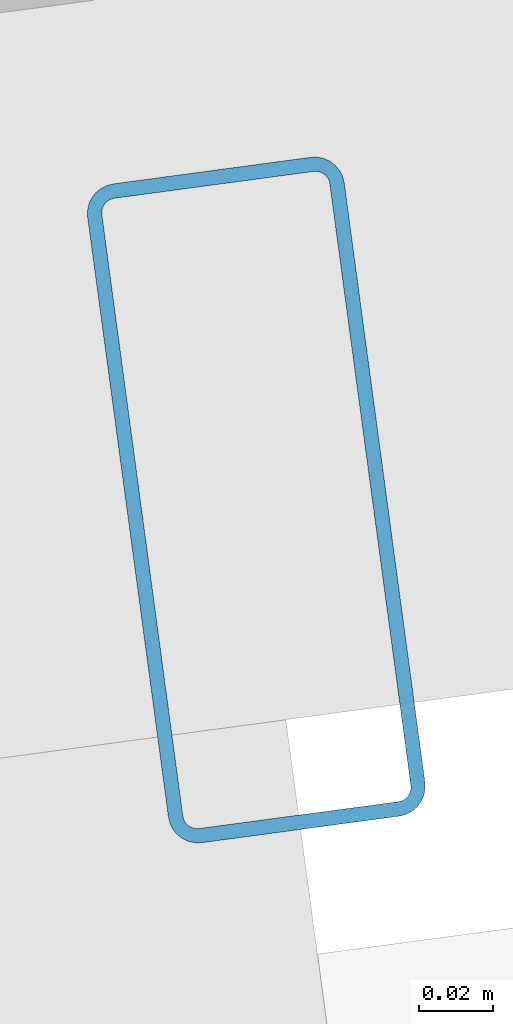
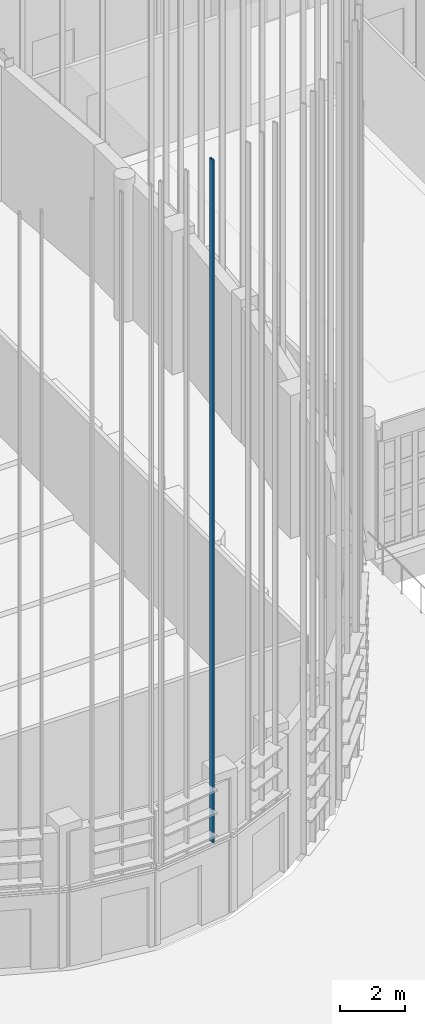
# One storey, part 40 of 372: 1 member.
"""IFC4 building model written with IfcOpenShell, lengths in metres."""

from ifc_helpers import new_model, si_unit, direction, frame, origin, origin_2d, place, context, subcontext, project, spatial, hollow_rectangle, extrude, material, material_profile, profile_set, type_object, element, save


model = new_model("IFC4")

# Units and contexts
model_context = context("Model", 3, precision=1e-05, world=origin(), true_north=direction((0.0, 1.0)))
body_context = subcontext(model_context, "Body", "Model", "MODEL_VIEW")
ifc_project = project(units=[si_unit("LENGTHUNIT", "METRE"), si_unit("AREAUNIT", "SQUARE_METRE"), si_unit("VOLUMEUNIT", "CUBIC_METRE"), si_unit("PLANEANGLEUNIT", "RADIAN"), si_unit("MASSUNIT", "GRAM", prefix="KILO")], contexts=[model_context])

# Site, building, storey
site_placement = place(None, origin())
site = spatial("IfcSite", under=ifc_project, at=site_placement, CompositionType="ELEMENT")
building_placement = place(site_placement, origin())
building = spatial("IfcBuilding", under=site, at=building_placement, Name="Kaelora Sail Theatre", CompositionType="ELEMENT")
storey_placement = place(building_placement, origin())
storey = spatial("IfcBuildingStorey", under=building, at=storey_placement, Name="L00", CompositionType="ELEMENT", Elevation=0.0)

# Member
ifc_material = material(Name="Anodised aluminium 6063-T6", Category="aluminium")
ifc_material_profile = material_profile(ifc_material, hollow_rectangle(XDim=0.070068359375, YDim=0.179931640625, WallThickness=0.00390625, InnerFilletRadius=0.00390625, OuterFilletRadius=0.008056640625, at=origin_2d()), Name="ALU-MULL 70x180x4")
ifc_profile_set = profile_set([ifc_material_profile], Name="Anodised aluminium 6063-T6")
member_type = type_object("IfcMemberType", Name="ARC-MEM-PST-160", PredefinedType="POST", material=ifc_profile_set)
member_placement = place(storey_placement, frame((44.1484375, 23.82666015625, 3.10009765625), z_axis=(0.0, 0.0, 1.0), x_axis=(-0.991053218872, -0.133467289485, 0.0)))
element("IfcMember", 1, at=member_placement, inside=storey, type_object=member_type, Name="Main Theatre Sail Drum solar louvre vertical support post C11-1", PredefinedType="POST", context=body_context, shape_type="SweptSolid", body=[
    extrude(hollow_rectangle(XDim=0.070068359375, YDim=0.179931640625, WallThickness=0.00390625, InnerFilletRadius=0.00390625, OuterFilletRadius=0.008056640625, at=origin_2d()), origin(), (0.0, 0.0, 1.0), 25.814453125),
])

save(model, "model.ifc")
